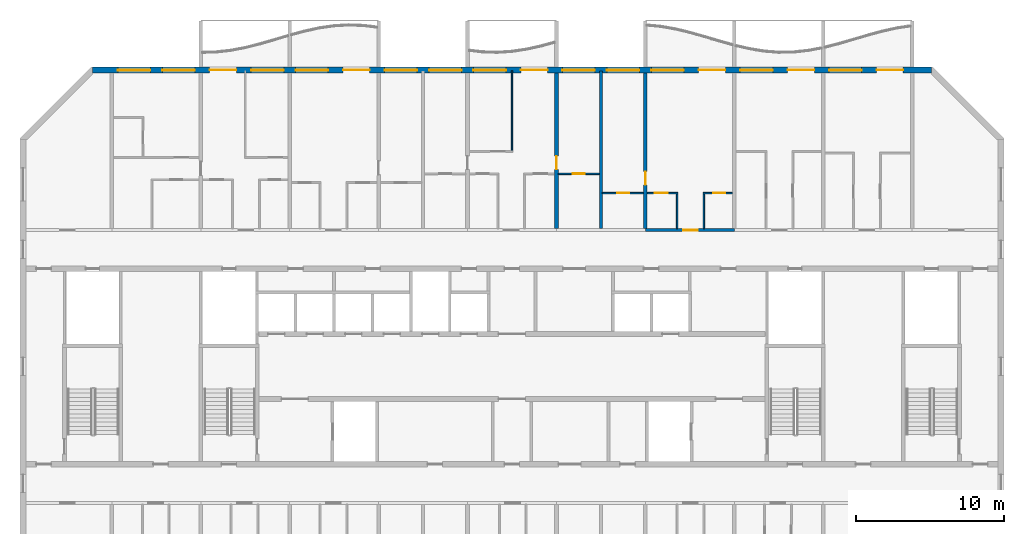
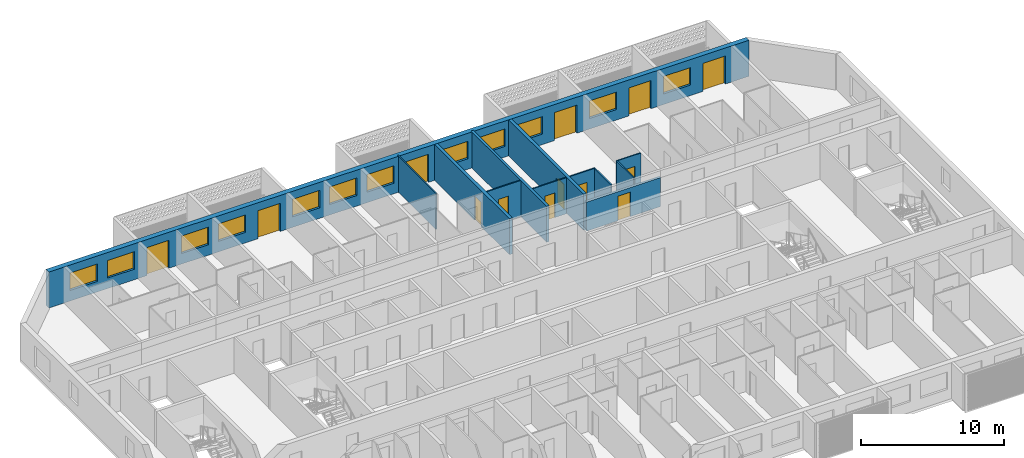
# One storey, part 9 of 26: 13 doors, 12 walls, 12 windows, 25 openings.
"""IFC4 building model written with IfcOpenShell, lengths in metres."""

from ifc_helpers import new_model, si_unit, direction, frame, frame_2d, origin, place, context, subcontext, project, spatial, rectangle, extrude, material, layer, layer_set, type_object, element, fill, save


model = new_model("IFC4")

# Units and contexts
model_context = context("Model", 3, precision=1e-05, world=origin(), true_north=direction((0.0, 1.0)))
body_context = subcontext(model_context, "Body", "Model", "MODEL_VIEW")
ifc_project = project(units=[si_unit("LENGTHUNIT", "METRE"), si_unit("AREAUNIT", "SQUARE_METRE"), si_unit("VOLUMEUNIT", "CUBIC_METRE"), si_unit("PLANEANGLEUNIT", "RADIAN"), si_unit("MASSUNIT", "GRAM", prefix="KILO")], contexts=[model_context])

# Site, building, storey
site_placement = place(None, origin())
site = spatial("IfcSite", under=ifc_project, at=site_placement, CompositionType="ELEMENT")
building_placement = place(site_placement, origin())
building = spatial("IfcBuilding", under=site, at=building_placement, Name="Poui Terraces", CompositionType="ELEMENT")
storey_placement = place(building_placement, frame((0.0, 0.0, 224.699951171875)))
storey = spatial("IfcBuildingStorey", under=building, at=storey_placement, Name="L62", CompositionType="ELEMENT", Elevation=224.699951171875)

# Wall, opening, door
ifc_material_1 = material(Name="Concrete 50 MPa", Category="concrete")
ifc_layer_1 = layer(ifc_material_1, 0.199951171875)
ifc_layer_set_1 = layer_set([ifc_layer_1], Name="Concrete 50 MPa")
wall_type_1 = type_object("IfcWallType", Name="CORRIDOR WALL 200 50MPa", PredefinedType="SHEAR", material=ifc_layer_set_1)
wall_1_placement = place(storey_placement, frame((60.0, 30.39990234375, 0.0), z_axis=(0.0, 0.0, 1.0), x_axis=(1.0, 0.0, 0.0)))
wall_1 = element("IfcWall", 1, at=wall_1_placement, inside=storey, type_object=wall_type_1, Name="CORRIDOR WALL LINE E BAY 8", PredefinedType="SHEAR", context=body_context, shape_type="SweptSolid", body=[
    extrude(rectangle(XDim=6.0, YDim=0.199951171875, at=frame_2d((3.0, 0.0))), origin(), (0.0, 0.0, 1.0), 2.47998046875),
])
opening_1_placement = place(wall_1_placement, frame((2.550048828125, 0.0, 0.0)))
opening_1 = element("IfcOpeningElement", 2, at=opening_1_placement, cuts=wall_1, Name="Opening FD30S", PredefinedType="OPENING", context=body_context, shape_type="SweptSolid", body=[
    extrude(rectangle(XDim=1.0, YDim=2.10009765625, at=frame_2d((0.5, 1.050048828125))), frame((0.0, 0.10986328125, 0.0), z_axis=(0.0, -1.0, 0.0), x_axis=(1.0, 0.0, 0.0)), (0.0, 0.0, 1.0), 0.219970703125),
])
ifc_material_2 = material(Name="Steel fire door", Category="steel")
door_type_1 = type_object("IfcDoorType", Name="FLAT ENTRANCE DOOR 1000 X 2100", OperationType="NOTDEFINED", PredefinedType="DOOR", material=ifc_material_2)
door_1_placement = place(opening_1_placement, origin())
door_1 = element("IfcDoor", 3, at=door_1_placement, inside=storey, type_object=door_type_1, Name="FLAT ENTRANCE DOOR 049", OperationType="SINGLE_SWING_RIGHT", OverallHeight=2.10009765625, OverallWidth=1.0, PredefinedType="DOOR", context=body_context, shape_type="SweptSolid", body=[
    extrude(rectangle(XDim=1.0, YDim=2.10009765625, at=frame_2d((0.5, 1.050048828125))), frame((0.0, 0.02490234375, 0.0), z_axis=(0.0, -1.0, 0.0), x_axis=(1.0, 0.0, 0.0)), (0.0, 0.0, 1.0), 0.050048828125),
])
fill(opening_1, door_1)

ifc_layer_2 = layer(ifc_material_1, 0.25)
ifc_layer_set_2 = layer_set([ifc_layer_2], Name="Concrete 50 MPa")
wall_type_2 = type_object("IfcWallType", Name="CROSS WALL 250 50MPa", PredefinedType="SHEAR", material=ifc_layer_set_2)
wall_2_placement = place(storey_placement, frame((54.0, 30.5, 0.0), z_axis=(0.0, 0.0, 1.0), x_axis=(0.0, 1.0, 0.0)))
wall_2 = element("IfcWall", 4, at=wall_2_placement, inside=storey, type_object=wall_type_2, Name="CROSS WALL LINE 10 NORTH", PredefinedType="SHEAR", context=body_context, shape_type="SweptSolid", body=[
    extrude(rectangle(XDim=10.5, YDim=0.25, at=frame_2d((5.25, 0.0))), origin(), (0.0, 0.0, 1.0), 3.080078125),
])
opening_2_placement = place(wall_2_placement, frame((4.0, 0.0, 0.0)))
opening_2 = element("IfcOpeningElement", 5, at=opening_2_placement, cuts=wall_2, Name="Opening D90", PredefinedType="OPENING", context=body_context, shape_type="SweptSolid", body=[
    extrude(rectangle(XDim=0.89990234375, YDim=2.10009765625, at=frame_2d((0.449951171875, 1.050048828125))), frame((0.0, 0.135009765625, 0.0), z_axis=(0.0, -1.0, 0.0), x_axis=(1.0, 0.0, 0.0)), (0.0, 0.0, 1.0), 0.27001953125),
])
ifc_material_3 = material(Name="Solid core timber door", Category="wood")
door_type_2 = type_object("IfcDoorType", Name="INTERNAL DOOR 900 X 2100", OperationType="NOTDEFINED", PredefinedType="DOOR", material=ifc_material_3)
door_2_placement = place(opening_2_placement, frame((0.89990234375, 0.0, 0.0), z_axis=(0.0, 0.0, 1.0), x_axis=(-1.0, 0.0, 0.0)))
door_2 = element("IfcDoor", 6, at=door_2_placement, inside=storey, type_object=door_type_2, Name="INTERNAL DOOR 045", OperationType="SINGLE_SWING_RIGHT", OverallHeight=2.10009765625, OverallWidth=0.89990234375, PredefinedType="DOOR", context=body_context, shape_type="SweptSolid", body=[
    extrude(rectangle(XDim=0.89990234375, YDim=2.10009765625, at=frame_2d((0.449951171875, 1.050048828125))), frame((0.0, 0.02490234375, 0.0), z_axis=(0.0, -1.0, 0.0), x_axis=(1.0, 0.0, 0.0)), (0.0, 0.0, 1.0), 0.050048828125),
])
fill(opening_2, door_2)

wall_3_placement = place(storey_placement, frame((60.0, 30.5, 0.0), z_axis=(0.0, 0.0, 1.0), x_axis=(0.0, 1.0, 0.0)))
wall_3 = element("IfcWall", 7, at=wall_3_placement, inside=storey, type_object=wall_type_2, Name="CROSS WALL LINE 11 NORTH", PredefinedType="SHEAR", context=body_context, shape_type="SweptSolid", body=[
    extrude(rectangle(XDim=10.5, YDim=0.25, at=frame_2d((5.25, 0.0))), origin(), (0.0, 0.0, 1.0), 3.080078125),
])
opening_3_placement = place(wall_3_placement, frame((2.949951171875, 0.0, 0.0)))
opening_3 = element("IfcOpeningElement", 8, at=opening_3_placement, cuts=wall_3, Name="Opening D90", PredefinedType="OPENING", context=body_context, shape_type="SweptSolid", body=[
    extrude(rectangle(XDim=0.89990234375, YDim=2.10009765625, at=frame_2d((0.449951171875, 1.050048828125))), frame((0.0, 0.135009765625, 0.0), z_axis=(0.0, -1.0, 0.0), x_axis=(1.0, 0.0, 0.0)), (0.0, 0.0, 1.0), 0.27001953125),
])
door_3_placement = place(opening_3_placement, origin())
door_3 = element("IfcDoor", 9, at=door_3_placement, inside=storey, type_object=door_type_2, Name="INTERNAL DOOR 047", OperationType="SINGLE_SWING_LEFT", OverallHeight=2.10009765625, OverallWidth=0.89990234375, PredefinedType="DOOR", context=body_context, shape_type="SweptSolid", body=[
    extrude(rectangle(XDim=0.89990234375, YDim=2.10009765625, at=frame_2d((0.449951171875, 1.050048828125))), frame((0.0, 0.02490234375, 0.0), z_axis=(0.0, -1.0, 0.0), x_axis=(1.0, 0.0, 0.0)), (0.0, 0.0, 1.0), 0.050048828125),
])
fill(opening_3, door_3)

# Wall, openings, doors, windows
ifc_material_4 = material(Name="Precast concrete 40 MPa", Category="concrete")
ifc_layer_3 = layer(ifc_material_4, 0.39990234375)
ifc_layer_set_3 = layer_set([ifc_layer_3], Name="Precast concrete 40 MPa")
wall_type_3 = type_object("IfcWallType", Name="EXTERNAL WALL 400", PredefinedType="STANDARD", material=ifc_layer_set_3)
wall_4_placement = place(storey_placement, frame((79.317138671875, 41.199951171875, 0.0), z_axis=(0.0, 0.0, 1.0), x_axis=(-1.0, 0.0, 0.0)))
wall_4 = element("IfcWall", 10, at=wall_4_placement, inside=storey, type_object=wall_type_3, Name="EXTERNAL WALL N", PredefinedType="STANDARD", context=body_context, shape_type="SweptSolid", body=[
    extrude(rectangle(XDim=56.63427734375, YDim=0.39990234375, at=frame_2d((28.317138671875, 0.0))), origin(), (0.0, 0.0, 1.0), 3.080078125),
])
opening_4_placement = place(wall_4_placement, frame((52.71728515625, 0.0, 0.89990234375)))
opening_4 = element("IfcOpeningElement", 11, at=opening_4_placement, cuts=wall_4, Name="Opening W1", PredefinedType="OPENING", context=body_context, shape_type="SweptSolid", body=[
    extrude(rectangle(XDim=2.199951171875, YDim=1.5, at=frame_2d((1.10009765625, 0.75))), frame((0.0, 0.2099609375, 0.0), z_axis=(0.0, -1.0, 0.0), x_axis=(1.0, 0.0, 0.0)), (0.0, 0.0, 1.0), 0.419921875),
])
opening_5_placement = place(wall_4_placement, frame((49.71728515625, 0.0, 0.89990234375)))
opening_5 = element("IfcOpeningElement", 12, at=opening_5_placement, cuts=wall_4, Name="Opening W1", PredefinedType="OPENING", context=body_context, shape_type="SweptSolid", body=[
    extrude(rectangle(XDim=2.199951171875, YDim=1.5, at=frame_2d((1.10009765625, 0.75))), frame((0.0, 0.2099609375, 0.0), z_axis=(0.0, -1.0, 0.0), x_axis=(1.0, 0.0, 0.0)), (0.0, 0.0, 1.0), 0.419921875),
])
opening_6_placement = place(wall_4_placement, frame((46.917236328125, 0.0, 0.0)))
opening_6 = element("IfcOpeningElement", 13, at=opening_6_placement, cuts=wall_4, Name="Opening BD1", PredefinedType="OPENING", context=body_context, shape_type="SweptSolid", body=[
    extrude(rectangle(XDim=1.800048828125, YDim=2.39990234375, at=frame_2d((0.89990234375, 1.199951171875))), frame((0.0, 0.2099609375, 0.0), z_axis=(0.0, -1.0, 0.0), x_axis=(1.0, 0.0, 0.0)), (0.0, 0.0, 1.0), 0.419921875),
])
opening_7_placement = place(wall_4_placement, frame((43.71728515625, 0.0, 0.89990234375)))
opening_7 = element("IfcOpeningElement", 14, at=opening_7_placement, cuts=wall_4, Name="Opening W1", PredefinedType="OPENING", context=body_context, shape_type="SweptSolid", body=[
    extrude(rectangle(XDim=2.199951171875, YDim=1.5, at=frame_2d((1.10009765625, 0.75))), frame((0.0, 0.2099609375, 0.0), z_axis=(0.0, -1.0, 0.0), x_axis=(1.0, 0.0, 0.0)), (0.0, 0.0, 1.0), 0.419921875),
])
opening_8_placement = place(wall_4_placement, frame((40.71728515625, 0.0, 0.89990234375)))
opening_8 = element("IfcOpeningElement", 15, at=opening_8_placement, cuts=wall_4, Name="Opening W1", PredefinedType="OPENING", context=body_context, shape_type="SweptSolid", body=[
    extrude(rectangle(XDim=2.199951171875, YDim=1.5, at=frame_2d((1.10009765625, 0.75))), frame((0.0, 0.2099609375, 0.0), z_axis=(0.0, -1.0, 0.0), x_axis=(1.0, 0.0, 0.0)), (0.0, 0.0, 1.0), 0.419921875),
])
opening_9_placement = place(wall_4_placement, frame((37.917236328125, 0.0, 0.0)))
opening_9 = element("IfcOpeningElement", 16, at=opening_9_placement, cuts=wall_4, Name="Opening BD1", PredefinedType="OPENING", context=body_context, shape_type="SweptSolid", body=[
    extrude(rectangle(XDim=1.800048828125, YDim=2.39990234375, at=frame_2d((0.89990234375, 1.199951171875))), frame((0.0, 0.2099609375, 0.0), z_axis=(0.0, -1.0, 0.0), x_axis=(1.0, 0.0, 0.0)), (0.0, 0.0, 1.0), 0.419921875),
])
opening_10_placement = place(wall_4_placement, frame((34.71728515625, 0.0, 0.89990234375)))
opening_10 = element("IfcOpeningElement", 17, at=opening_10_placement, cuts=wall_4, Name="Opening W1", PredefinedType="OPENING", context=body_context, shape_type="SweptSolid", body=[
    extrude(rectangle(XDim=2.199951171875, YDim=1.5, at=frame_2d((1.10009765625, 0.75))), frame((0.0, 0.2099609375, 0.0), z_axis=(0.0, -1.0, 0.0), x_axis=(1.0, 0.0, 0.0)), (0.0, 0.0, 1.0), 0.419921875),
])
opening_11_placement = place(wall_4_placement, frame((31.71728515625, 0.0, 0.89990234375)))
opening_11 = element("IfcOpeningElement", 18, at=opening_11_placement, cuts=wall_4, Name="Opening W1", PredefinedType="OPENING", context=body_context, shape_type="SweptSolid", body=[
    extrude(rectangle(XDim=2.199951171875, YDim=1.5, at=frame_2d((1.10009765625, 0.75))), frame((0.0, 0.2099609375, 0.0), z_axis=(0.0, -1.0, 0.0), x_axis=(1.0, 0.0, 0.0)), (0.0, 0.0, 1.0), 0.419921875),
])
opening_12_placement = place(wall_4_placement, frame((28.71728515625, 0.0, 0.89990234375)))
opening_12 = element("IfcOpeningElement", 19, at=opening_12_placement, cuts=wall_4, Name="Opening W1", PredefinedType="OPENING", context=body_context, shape_type="SweptSolid", body=[
    extrude(rectangle(XDim=2.199951171875, YDim=1.5, at=frame_2d((1.10009765625, 0.75))), frame((0.0, 0.2099609375, 0.0), z_axis=(0.0, -1.0, 0.0), x_axis=(1.0, 0.0, 0.0)), (0.0, 0.0, 1.0), 0.419921875),
])
opening_13_placement = place(wall_4_placement, frame((25.917236328125, 0.0, 0.0)))
opening_13 = element("IfcOpeningElement", 20, at=opening_13_placement, cuts=wall_4, Name="Opening BD1", PredefinedType="OPENING", context=body_context, shape_type="SweptSolid", body=[
    extrude(rectangle(XDim=1.800048828125, YDim=2.39990234375, at=frame_2d((0.89990234375, 1.199951171875))), frame((0.0, 0.2099609375, 0.0), z_axis=(0.0, -1.0, 0.0), x_axis=(1.0, 0.0, 0.0)), (0.0, 0.0, 1.0), 0.419921875),
])
opening_14_placement = place(wall_4_placement, frame((22.71728515625, 0.0, 0.89990234375)))
opening_14 = element("IfcOpeningElement", 21, at=opening_14_placement, cuts=wall_4, Name="Opening W1", PredefinedType="OPENING", context=body_context, shape_type="SweptSolid", body=[
    extrude(rectangle(XDim=2.199951171875, YDim=1.5, at=frame_2d((1.10009765625, 0.75))), frame((0.0, 0.2099609375, 0.0), z_axis=(0.0, -1.0, 0.0), x_axis=(1.0, 0.0, 0.0)), (0.0, 0.0, 1.0), 0.419921875),
])
opening_15_placement = place(wall_4_placement, frame((19.71728515625, 0.0, 0.89990234375)))
opening_15 = element("IfcOpeningElement", 22, at=opening_15_placement, cuts=wall_4, Name="Opening W1", PredefinedType="OPENING", context=body_context, shape_type="SweptSolid", body=[
    extrude(rectangle(XDim=2.199951171875, YDim=1.5, at=frame_2d((1.10009765625, 0.75))), frame((0.0, 0.2099609375, 0.0), z_axis=(0.0, -1.0, 0.0), x_axis=(1.0, 0.0, 0.0)), (0.0, 0.0, 1.0), 0.419921875),
])
opening_16_placement = place(wall_4_placement, frame((16.71728515625, 0.0, 0.89990234375)))
opening_16 = element("IfcOpeningElement", 23, at=opening_16_placement, cuts=wall_4, Name="Opening W1", PredefinedType="OPENING", context=body_context, shape_type="SweptSolid", body=[
    extrude(rectangle(XDim=2.199951171875, YDim=1.5, at=frame_2d((1.10009765625, 0.75))), frame((0.0, 0.2099609375, 0.0), z_axis=(0.0, -1.0, 0.0), x_axis=(1.0, 0.0, 0.0)), (0.0, 0.0, 1.0), 0.419921875),
])
opening_17_placement = place(wall_4_placement, frame((13.917236328125, 0.0, 0.0)))
opening_17 = element("IfcOpeningElement", 24, at=opening_17_placement, cuts=wall_4, Name="Opening BD1", PredefinedType="OPENING", context=body_context, shape_type="SweptSolid", body=[
    extrude(rectangle(XDim=1.800048828125, YDim=2.39990234375, at=frame_2d((0.89990234375, 1.199951171875))), frame((0.0, 0.2099609375, 0.0), z_axis=(0.0, -1.0, 0.0), x_axis=(1.0, 0.0, 0.0)), (0.0, 0.0, 1.0), 0.419921875),
])
opening_18_placement = place(wall_4_placement, frame((10.71728515625, 0.0, 0.89990234375)))
opening_18 = element("IfcOpeningElement", 25, at=opening_18_placement, cuts=wall_4, Name="Opening W1", PredefinedType="OPENING", context=body_context, shape_type="SweptSolid", body=[
    extrude(rectangle(XDim=2.199951171875, YDim=1.5, at=frame_2d((1.10009765625, 0.75))), frame((0.0, 0.2099609375, 0.0), z_axis=(0.0, -1.0, 0.0), x_axis=(1.0, 0.0, 0.0)), (0.0, 0.0, 1.0), 0.419921875),
])
opening_19_placement = place(wall_4_placement, frame((7.917236328125, 0.0, 0.0)))
opening_19 = element("IfcOpeningElement", 26, at=opening_19_placement, cuts=wall_4, Name="Opening BD1", PredefinedType="OPENING", context=body_context, shape_type="SweptSolid", body=[
    extrude(rectangle(XDim=1.800048828125, YDim=2.39990234375, at=frame_2d((0.89990234375, 1.199951171875))), frame((0.0, 0.2099609375, 0.0), z_axis=(0.0, -1.0, 0.0), x_axis=(1.0, 0.0, 0.0)), (0.0, 0.0, 1.0), 0.419921875),
])
opening_20_placement = place(wall_4_placement, frame((4.71728515625, 0.0, 0.89990234375)))
opening_20 = element("IfcOpeningElement", 27, at=opening_20_placement, cuts=wall_4, Name="Opening W1", PredefinedType="OPENING", context=body_context, shape_type="SweptSolid", body=[
    extrude(rectangle(XDim=2.199951171875, YDim=1.5, at=frame_2d((1.10009765625, 0.75))), frame((0.0, 0.2099609375, 0.0), z_axis=(0.0, -1.0, 0.0), x_axis=(1.0, 0.0, 0.0)), (0.0, 0.0, 1.0), 0.419921875),
])
opening_21_placement = place(wall_4_placement, frame((1.917236328125, 0.0, 0.0)))
opening_21 = element("IfcOpeningElement", 28, at=opening_21_placement, cuts=wall_4, Name="Opening BD1", PredefinedType="OPENING", context=body_context, shape_type="SweptSolid", body=[
    extrude(rectangle(XDim=1.800048828125, YDim=2.39990234375, at=frame_2d((0.89990234375, 1.199951171875))), frame((0.0, 0.2099609375, 0.0), z_axis=(0.0, -1.0, 0.0), x_axis=(1.0, 0.0, 0.0)), (0.0, 0.0, 1.0), 0.419921875),
])
ifc_material_5 = material(Name="Clear glass in aluminium frame", Category="aluminium")
door_type_3 = type_object("IfcDoorType", Name="BALCONY DOOR 1800X2400", OperationType="DOUBLE_DOOR_SLIDING", PredefinedType="DOOR", material=ifc_material_5)
door_4_placement = place(opening_6_placement, origin())
door_4 = element("IfcDoor", 29, at=door_4_placement, inside=storey, type_object=door_type_3, Name="BD1 BALCONY DOOR", OperationType="DOUBLE_DOOR_SLIDING", OverallHeight=2.39990234375, OverallWidth=1.800048828125, PredefinedType="DOOR", context=body_context, shape_type="SweptSolid", body=[
    extrude(rectangle(XDim=1.800048828125, YDim=2.39990234375, at=frame_2d((0.89990234375, 1.199951171875))), frame((0.0, 0.02490234375, 0.0), z_axis=(0.0, -1.0, 0.0), x_axis=(1.0, 0.0, 0.0)), (0.0, 0.0, 1.0), 0.050048828125),
])
fill(opening_6, door_4)
door_5_placement = place(opening_9_placement, origin())
door_5 = element("IfcDoor", 30, at=door_5_placement, inside=storey, type_object=door_type_3, Name="BD1 BALCONY DOOR", OperationType="DOUBLE_DOOR_SLIDING", OverallHeight=2.39990234375, OverallWidth=1.800048828125, PredefinedType="DOOR", context=body_context, shape_type="SweptSolid", body=[
    extrude(rectangle(XDim=1.800048828125, YDim=2.39990234375, at=frame_2d((0.89990234375, 1.199951171875))), frame((0.0, 0.02490234375, 0.0), z_axis=(0.0, -1.0, 0.0), x_axis=(1.0, 0.0, 0.0)), (0.0, 0.0, 1.0), 0.050048828125),
])
fill(opening_9, door_5)
door_6_placement = place(opening_13_placement, origin())
door_6 = element("IfcDoor", 31, at=door_6_placement, inside=storey, type_object=door_type_3, Name="BD1 BALCONY DOOR", OperationType="DOUBLE_DOOR_SLIDING", OverallHeight=2.39990234375, OverallWidth=1.800048828125, PredefinedType="DOOR", context=body_context, shape_type="SweptSolid", body=[
    extrude(rectangle(XDim=1.800048828125, YDim=2.39990234375, at=frame_2d((0.89990234375, 1.199951171875))), frame((0.0, 0.02490234375, 0.0), z_axis=(0.0, -1.0, 0.0), x_axis=(1.0, 0.0, 0.0)), (0.0, 0.0, 1.0), 0.050048828125),
])
fill(opening_13, door_6)
door_7_placement = place(opening_17_placement, origin())
door_7 = element("IfcDoor", 32, at=door_7_placement, inside=storey, type_object=door_type_3, Name="BD1 BALCONY DOOR", OperationType="DOUBLE_DOOR_SLIDING", OverallHeight=2.39990234375, OverallWidth=1.800048828125, PredefinedType="DOOR", context=body_context, shape_type="SweptSolid", body=[
    extrude(rectangle(XDim=1.800048828125, YDim=2.39990234375, at=frame_2d((0.89990234375, 1.199951171875))), frame((0.0, 0.02490234375, 0.0), z_axis=(0.0, -1.0, 0.0), x_axis=(1.0, 0.0, 0.0)), (0.0, 0.0, 1.0), 0.050048828125),
])
fill(opening_17, door_7)
door_8_placement = place(opening_19_placement, origin())
door_8 = element("IfcDoor", 33, at=door_8_placement, inside=storey, type_object=door_type_3, Name="BD1 BALCONY DOOR", OperationType="DOUBLE_DOOR_SLIDING", OverallHeight=2.39990234375, OverallWidth=1.800048828125, PredefinedType="DOOR", context=body_context, shape_type="SweptSolid", body=[
    extrude(rectangle(XDim=1.800048828125, YDim=2.39990234375, at=frame_2d((0.89990234375, 1.199951171875))), frame((0.0, 0.02490234375, 0.0), z_axis=(0.0, -1.0, 0.0), x_axis=(1.0, 0.0, 0.0)), (0.0, 0.0, 1.0), 0.050048828125),
])
fill(opening_19, door_8)
door_9_placement = place(opening_21_placement, origin())
door_9 = element("IfcDoor", 34, at=door_9_placement, inside=storey, type_object=door_type_3, Name="BD1 BALCONY DOOR", OperationType="DOUBLE_DOOR_SLIDING", OverallHeight=2.39990234375, OverallWidth=1.800048828125, PredefinedType="DOOR", context=body_context, shape_type="SweptSolid", body=[
    extrude(rectangle(XDim=1.800048828125, YDim=2.39990234375, at=frame_2d((0.89990234375, 1.199951171875))), frame((0.0, 0.02490234375, 0.0), z_axis=(0.0, -1.0, 0.0), x_axis=(1.0, 0.0, 0.0)), (0.0, 0.0, 1.0), 0.050048828125),
])
fill(opening_21, door_9)
window_type = type_object("IfcWindowType", Name="WINDOW 2200X1500", PartitioningType="DOUBLE_PANEL_HORIZONTAL", PredefinedType="WINDOW", material=ifc_material_5)
window_1_placement = place(opening_4_placement, origin())
window_1 = element("IfcWindow", 35, at=window_1_placement, inside=storey, type_object=window_type, Name="W1 WINDOW", OverallHeight=1.5, OverallWidth=2.199951171875, PartitioningType="DOUBLE_PANEL_HORIZONTAL", PredefinedType="WINDOW", context=body_context, shape_type="SweptSolid", body=[
    extrude(rectangle(XDim=2.199951171875, YDim=1.5, at=frame_2d((1.10009765625, 0.75))), frame((0.0, 0.030029296875, 0.0), z_axis=(0.0, -1.0, 0.0), x_axis=(1.0, 0.0, 0.0)), (0.0, 0.0, 1.0), 0.06005859375),
])
fill(opening_4, window_1)
window_2_placement = place(opening_5_placement, origin())
window_2 = element("IfcWindow", 36, at=window_2_placement, inside=storey, type_object=window_type, Name="W1 WINDOW", OverallHeight=1.5, OverallWidth=2.199951171875, PartitioningType="DOUBLE_PANEL_HORIZONTAL", PredefinedType="WINDOW", context=body_context, shape_type="SweptSolid", body=[
    extrude(rectangle(XDim=2.199951171875, YDim=1.5, at=frame_2d((1.10009765625, 0.75))), frame((0.0, 0.030029296875, 0.0), z_axis=(0.0, -1.0, 0.0), x_axis=(1.0, 0.0, 0.0)), (0.0, 0.0, 1.0), 0.06005859375),
])
fill(opening_5, window_2)
window_3_placement = place(opening_7_placement, origin())
window_3 = element("IfcWindow", 37, at=window_3_placement, inside=storey, type_object=window_type, Name="W1 WINDOW", OverallHeight=1.5, OverallWidth=2.199951171875, PartitioningType="DOUBLE_PANEL_HORIZONTAL", PredefinedType="WINDOW", context=body_context, shape_type="SweptSolid", body=[
    extrude(rectangle(XDim=2.199951171875, YDim=1.5, at=frame_2d((1.10009765625, 0.75))), frame((0.0, 0.030029296875, 0.0), z_axis=(0.0, -1.0, 0.0), x_axis=(1.0, 0.0, 0.0)), (0.0, 0.0, 1.0), 0.06005859375),
])
fill(opening_7, window_3)
window_4_placement = place(opening_8_placement, origin())
window_4 = element("IfcWindow", 38, at=window_4_placement, inside=storey, type_object=window_type, Name="W1 WINDOW", OverallHeight=1.5, OverallWidth=2.199951171875, PartitioningType="DOUBLE_PANEL_HORIZONTAL", PredefinedType="WINDOW", context=body_context, shape_type="SweptSolid", body=[
    extrude(rectangle(XDim=2.199951171875, YDim=1.5, at=frame_2d((1.10009765625, 0.75))), frame((0.0, 0.030029296875, 0.0), z_axis=(0.0, -1.0, 0.0), x_axis=(1.0, 0.0, 0.0)), (0.0, 0.0, 1.0), 0.06005859375),
])
fill(opening_8, window_4)
window_5_placement = place(opening_10_placement, origin())
window_5 = element("IfcWindow", 39, at=window_5_placement, inside=storey, type_object=window_type, Name="W1 WINDOW", OverallHeight=1.5, OverallWidth=2.199951171875, PartitioningType="DOUBLE_PANEL_HORIZONTAL", PredefinedType="WINDOW", context=body_context, shape_type="SweptSolid", body=[
    extrude(rectangle(XDim=2.199951171875, YDim=1.5, at=frame_2d((1.10009765625, 0.75))), frame((0.0, 0.030029296875, 0.0), z_axis=(0.0, -1.0, 0.0), x_axis=(1.0, 0.0, 0.0)), (0.0, 0.0, 1.0), 0.06005859375),
])
fill(opening_10, window_5)
window_6_placement = place(opening_11_placement, origin())
window_6 = element("IfcWindow", 40, at=window_6_placement, inside=storey, type_object=window_type, Name="W1 WINDOW", OverallHeight=1.5, OverallWidth=2.199951171875, PartitioningType="DOUBLE_PANEL_HORIZONTAL", PredefinedType="WINDOW", context=body_context, shape_type="SweptSolid", body=[
    extrude(rectangle(XDim=2.199951171875, YDim=1.5, at=frame_2d((1.10009765625, 0.75))), frame((0.0, 0.030029296875, 0.0), z_axis=(0.0, -1.0, 0.0), x_axis=(1.0, 0.0, 0.0)), (0.0, 0.0, 1.0), 0.06005859375),
])
fill(opening_11, window_6)
window_7_placement = place(opening_12_placement, origin())
window_7 = element("IfcWindow", 41, at=window_7_placement, inside=storey, type_object=window_type, Name="W1 WINDOW", OverallHeight=1.5, OverallWidth=2.199951171875, PartitioningType="DOUBLE_PANEL_HORIZONTAL", PredefinedType="WINDOW", context=body_context, shape_type="SweptSolid", body=[
    extrude(rectangle(XDim=2.199951171875, YDim=1.5, at=frame_2d((1.10009765625, 0.75))), frame((0.0, 0.030029296875, 0.0), z_axis=(0.0, -1.0, 0.0), x_axis=(1.0, 0.0, 0.0)), (0.0, 0.0, 1.0), 0.06005859375),
])
fill(opening_12, window_7)
window_8_placement = place(opening_14_placement, origin())
window_8 = element("IfcWindow", 42, at=window_8_placement, inside=storey, type_object=window_type, Name="W1 WINDOW", OverallHeight=1.5, OverallWidth=2.199951171875, PartitioningType="DOUBLE_PANEL_HORIZONTAL", PredefinedType="WINDOW", context=body_context, shape_type="SweptSolid", body=[
    extrude(rectangle(XDim=2.199951171875, YDim=1.5, at=frame_2d((1.10009765625, 0.75))), frame((0.0, 0.030029296875, 0.0), z_axis=(0.0, -1.0, 0.0), x_axis=(1.0, 0.0, 0.0)), (0.0, 0.0, 1.0), 0.06005859375),
])
fill(opening_14, window_8)
window_9_placement = place(opening_15_placement, origin())
window_9 = element("IfcWindow", 43, at=window_9_placement, inside=storey, type_object=window_type, Name="W1 WINDOW", OverallHeight=1.5, OverallWidth=2.199951171875, PartitioningType="DOUBLE_PANEL_HORIZONTAL", PredefinedType="WINDOW", context=body_context, shape_type="SweptSolid", body=[
    extrude(rectangle(XDim=2.199951171875, YDim=1.5, at=frame_2d((1.10009765625, 0.75))), frame((0.0, 0.030029296875, 0.0), z_axis=(0.0, -1.0, 0.0), x_axis=(1.0, 0.0, 0.0)), (0.0, 0.0, 1.0), 0.06005859375),
])
fill(opening_15, window_9)
window_10_placement = place(opening_16_placement, origin())
window_10 = element("IfcWindow", 44, at=window_10_placement, inside=storey, type_object=window_type, Name="W1 WINDOW", OverallHeight=1.5, OverallWidth=2.199951171875, PartitioningType="DOUBLE_PANEL_HORIZONTAL", PredefinedType="WINDOW", context=body_context, shape_type="SweptSolid", body=[
    extrude(rectangle(XDim=2.199951171875, YDim=1.5, at=frame_2d((1.10009765625, 0.75))), frame((0.0, 0.030029296875, 0.0), z_axis=(0.0, -1.0, 0.0), x_axis=(1.0, 0.0, 0.0)), (0.0, 0.0, 1.0), 0.06005859375),
])
fill(opening_16, window_10)
window_11_placement = place(opening_18_placement, origin())
window_11 = element("IfcWindow", 45, at=window_11_placement, inside=storey, type_object=window_type, Name="W1 WINDOW", OverallHeight=1.5, OverallWidth=2.199951171875, PartitioningType="DOUBLE_PANEL_HORIZONTAL", PredefinedType="WINDOW", context=body_context, shape_type="SweptSolid", body=[
    extrude(rectangle(XDim=2.199951171875, YDim=1.5, at=frame_2d((1.10009765625, 0.75))), frame((0.0, 0.030029296875, 0.0), z_axis=(0.0, -1.0, 0.0), x_axis=(1.0, 0.0, 0.0)), (0.0, 0.0, 1.0), 0.06005859375),
])
fill(opening_18, window_11)
window_12_placement = place(opening_20_placement, origin())
window_12 = element("IfcWindow", 46, at=window_12_placement, inside=storey, type_object=window_type, Name="W1 WINDOW", OverallHeight=1.5, OverallWidth=2.199951171875, PartitioningType="DOUBLE_PANEL_HORIZONTAL", PredefinedType="WINDOW", context=body_context, shape_type="SweptSolid", body=[
    extrude(rectangle(XDim=2.199951171875, YDim=1.5, at=frame_2d((1.10009765625, 0.75))), frame((0.0, 0.030029296875, 0.0), z_axis=(0.0, -1.0, 0.0), x_axis=(1.0, 0.0, 0.0)), (0.0, 0.0, 1.0), 0.06005859375),
])
fill(opening_20, window_12)

# Wall, opening, door
ifc_material_6 = material(Name="Plasterboard partition")
ifc_layer_4 = layer(ifc_material_6, 0.10009765625)
ifc_layer_set_4 = layer_set([ifc_layer_4], Name="Plasterboard partition")
wall_type_4 = type_object("IfcWallType", Name="FLAT PARTITION 100", PredefinedType="PARTITIONING", material=ifc_layer_set_4)
wall_5_placement = place(storey_placement, frame((57.10009765625, 32.89990234375, 0.0), z_axis=(0.0, 0.0, 1.0), x_axis=(1.0, 0.0, 0.0)))
wall_5 = element("IfcWall", 47, at=wall_5_placement, inside=storey, type_object=wall_type_4, Name="FLAT PARTITION 100", PredefinedType="PARTITIONING", context=body_context, shape_type="SweptSolid", body=[
    extrude(rectangle(XDim=2.764892578125, YDim=0.10009765625, at=frame_2d((1.38232421875, 0.0))), origin(), (0.0, 0.0, 1.0), 3.080078125),
])
opening_22_placement = place(wall_5_placement, frame((1.0, 0.0, 0.0)))
opening_22 = element("IfcOpeningElement", 48, at=opening_22_placement, cuts=wall_5, Name="Opening D80", PredefinedType="OPENING", context=body_context, shape_type="SweptSolid", body=[
    extrude(rectangle(XDim=0.800048828125, YDim=2.10009765625, at=frame_2d((0.39990234375, 1.050048828125))), frame((0.0, 0.06005859375, 0.0), z_axis=(0.0, -1.0, 0.0), x_axis=(1.0, 0.0, 0.0)), (0.0, 0.0, 1.0), 0.1201171875),
])
door_type_4 = type_object("IfcDoorType", Name="BATHROOM, LAUNDRY AND STORE DOOR 800 X 2100", OperationType="NOTDEFINED", PredefinedType="DOOR", material=ifc_material_3)
door_10_placement = place(opening_22_placement, frame((0.800048828125, 0.0, 0.0), z_axis=(0.0, 0.0, 1.0), x_axis=(-1.0, 0.0, 0.0)))
door_10 = element("IfcDoor", 49, at=door_10_placement, inside=storey, type_object=door_type_4, Name="BATHROOM, LAUNDRY AND STORE DOOR 046", OperationType="SINGLE_SWING_RIGHT", OverallHeight=2.10009765625, OverallWidth=0.800048828125, PredefinedType="DOOR", context=body_context, shape_type="SweptSolid", body=[
    extrude(rectangle(XDim=0.800048828125, YDim=2.10009765625, at=frame_2d((0.39990234375, 1.050048828125))), frame((0.0, 0.02490234375, 0.0), z_axis=(0.0, -1.0, 0.0), x_axis=(1.0, 0.0, 0.0)), (0.0, 0.0, 1.0), 0.050048828125),
])
fill(opening_22, door_10)

wall_6_placement = place(storey_placement, frame((60.135009765625, 32.89990234375, 0.0), z_axis=(0.0, 0.0, 1.0), x_axis=(1.0, 0.0, 0.0)))
wall_6 = element("IfcWall", 50, at=wall_6_placement, inside=storey, type_object=wall_type_4, Name="FLAT PARTITION 100", PredefinedType="PARTITIONING", context=body_context, shape_type="SweptSolid", body=[
    extrude(rectangle(XDim=2.06494140625, YDim=0.10009765625, at=frame_2d((1.032470703125, 0.0))), origin(), (0.0, 0.0, 1.0), 3.080078125),
])
opening_23_placement = place(wall_6_placement, frame((0.489990234375, 0.0, 0.0)))
opening_23 = element("IfcOpeningElement", 51, at=opening_23_placement, cuts=wall_6, Name="Opening D90", PredefinedType="OPENING", context=body_context, shape_type="SweptSolid", body=[
    extrude(rectangle(XDim=0.89990234375, YDim=2.10009765625, at=frame_2d((0.449951171875, 1.050048828125))), frame((0.0, 0.06005859375, 0.0), z_axis=(0.0, -1.0, 0.0), x_axis=(1.0, 0.0, 0.0)), (0.0, 0.0, 1.0), 0.1201171875),
])
door_11_placement = place(opening_23_placement, frame((0.89990234375, 0.0, 0.0), z_axis=(0.0, 0.0, 1.0), x_axis=(-1.0, 0.0, 0.0)))
door_11 = element("IfcDoor", 52, at=door_11_placement, inside=storey, type_object=door_type_2, Name="INTERNAL DOOR 048", OperationType="SINGLE_SWING_LEFT", OverallHeight=2.10009765625, OverallWidth=0.89990234375, PredefinedType="DOOR", context=body_context, shape_type="SweptSolid", body=[
    extrude(rectangle(XDim=0.89990234375, YDim=2.10009765625, at=frame_2d((0.449951171875, 1.050048828125))), frame((0.0, 0.02490234375, 0.0), z_axis=(0.0, -1.0, 0.0), x_axis=(1.0, 0.0, 0.0)), (0.0, 0.0, 1.0), 0.050048828125),
])
fill(opening_23, door_11)

wall_7_placement = place(storey_placement, frame((63.89990234375, 32.89990234375, 0.0), z_axis=(0.0, 0.0, 1.0), x_axis=(1.0, 0.0, 0.0)))
wall_7 = element("IfcWall", 53, at=wall_7_placement, inside=storey, type_object=wall_type_4, Name="FLAT PARTITION 100", PredefinedType="PARTITIONING", context=body_context, shape_type="SweptSolid", body=[
    extrude(rectangle(XDim=1.965087890625, YDim=0.10009765625, at=frame_2d((0.982421875, 0.0))), origin(), (0.0, 0.0, 1.0), 3.080078125),
])
opening_24_placement = place(wall_7_placement, frame((0.675048828125, 0.0, 0.0)))
opening_24 = element("IfcOpeningElement", 54, at=opening_24_placement, cuts=wall_7, Name="Opening D80", PredefinedType="OPENING", context=body_context, shape_type="SweptSolid", body=[
    extrude(rectangle(XDim=0.800048828125, YDim=2.10009765625, at=frame_2d((0.39990234375, 1.050048828125))), frame((0.0, 0.06005859375, 0.0), z_axis=(0.0, -1.0, 0.0), x_axis=(1.0, 0.0, 0.0)), (0.0, 0.0, 1.0), 0.1201171875),
])
door_12_placement = place(opening_24_placement, frame((0.800048828125, 0.0, 0.0), z_axis=(0.0, 0.0, 1.0), x_axis=(-1.0, 0.0, 0.0)))
door_12 = element("IfcDoor", 55, at=door_12_placement, inside=storey, type_object=door_type_4, Name="BATHROOM, LAUNDRY AND STORE DOOR 050", OperationType="SINGLE_SWING_RIGHT", OverallHeight=2.10009765625, OverallWidth=0.800048828125, PredefinedType="DOOR", context=body_context, shape_type="SweptSolid", body=[
    extrude(rectangle(XDim=0.800048828125, YDim=2.10009765625, at=frame_2d((0.39990234375, 1.050048828125))), frame((0.0, 0.02490234375, 0.0), z_axis=(0.0, -1.0, 0.0), x_axis=(1.0, 0.0, 0.0)), (0.0, 0.0, 1.0), 0.050048828125),
])
fill(opening_24, door_12)

wall_8_placement = place(storey_placement, frame((54.135009765625, 34.199951171875, 0.0), z_axis=(0.0, 0.0, 1.0), x_axis=(1.0, 0.0, 0.0)))
wall_8 = element("IfcWall", 56, at=wall_8_placement, inside=storey, type_object=wall_type_4, Name="FLAT PARTITION 100", PredefinedType="PARTITIONING", context=body_context, shape_type="SweptSolid", body=[
    extrude(rectangle(XDim=2.764892578125, YDim=0.10009765625, at=frame_2d((1.38232421875, 0.0))), origin(), (0.0, 0.0, 1.0), 3.080078125),
])
opening_25_placement = place(wall_8_placement, frame((0.965087890625, 0.0, 0.0)))
opening_25 = element("IfcOpeningElement", 57, at=opening_25_placement, cuts=wall_8, Name="Opening D80", PredefinedType="OPENING", context=body_context, shape_type="SweptSolid", body=[
    extrude(rectangle(XDim=0.800048828125, YDim=2.10009765625, at=frame_2d((0.39990234375, 1.050048828125))), frame((0.0, 0.06005859375, 0.0), z_axis=(0.0, -1.0, 0.0), x_axis=(1.0, 0.0, 0.0)), (0.0, 0.0, 1.0), 0.1201171875),
])
door_13_placement = place(opening_25_placement, frame((0.800048828125, 0.0, 0.0), z_axis=(0.0, 0.0, 1.0), x_axis=(-1.0, 0.0, 0.0)))
door_13 = element("IfcDoor", 58, at=door_13_placement, inside=storey, type_object=door_type_4, Name="BATHROOM, LAUNDRY AND STORE DOOR 039", OperationType="SINGLE_SWING_LEFT", OverallHeight=2.10009765625, OverallWidth=0.800048828125, PredefinedType="DOOR", context=body_context, shape_type="SweptSolid", body=[
    extrude(rectangle(XDim=0.800048828125, YDim=2.10009765625, at=frame_2d((0.39990234375, 1.050048828125))), frame((0.0, 0.02490234375, 0.0), z_axis=(0.0, -1.0, 0.0), x_axis=(1.0, 0.0, 0.0)), (0.0, 0.0, 1.0), 0.050048828125),
])
fill(opening_25, door_13)

# Walls
wall_9_placement = place(storey_placement, frame((51.0, 35.75, 0.0), z_axis=(0.0, 0.0, 1.0), x_axis=(0.0, 1.0, 0.0)))
element("IfcWall", 59, at=wall_9_placement, inside=storey, type_object=wall_type_4, Name="FLAT PARTITION 100", PredefinedType="PARTITIONING", context=body_context, shape_type="SweptSolid", body=[
    extrude(rectangle(XDim=5.389892578125, YDim=0.10009765625, at=frame_2d((2.69482421875, 0.0))), origin(), (0.0, 0.0, 1.0), 3.080078125),
])
for number, where, z_axis, x_axis, name in (
    (60, (62.14990234375, 30.510009765625, 0.0), (0.0, 0.0, 1.0), (0.0, 1.0, 0.0), "FLAT PARTITION 100"),
    (61, (63.949951171875, 30.510009765625, 0.0), (0.0, 0.0, 1.0), (0.0, 1.0, 0.0), "FLAT PARTITION 100"),
):
    element("IfcWall", number, at=place(storey_placement, frame(where, z_axis=z_axis, x_axis=x_axis)), inside=storey, type_object=wall_type_4, Name=name, PredefinedType="PARTITIONING", context=body_context, shape_type="SweptSolid", body=[
        extrude(rectangle(XDim=2.340087890625, YDim=0.10009765625, at=frame_2d((1.169921875, 0.0))), origin(), (0.0, 0.0, 1.0), 3.080078125),
    ])
ifc_material_7 = material(Name="Fire-rated masonry wall", Category="masonry")
ifc_layer_5 = layer(ifc_material_7, 0.199951171875)
ifc_layer_set_5 = layer_set([ifc_layer_5], Name="Fire-rated masonry wall")
wall_type_5 = type_object("IfcWallType", Name="FLAT PARTY WALL 200", PredefinedType="PARTITIONING", material=ifc_layer_set_5)
wall_10_placement = place(storey_placement, frame((57.0, 30.510009765625, 0.0), z_axis=(0.0, 0.0, 1.0), x_axis=(0.0, 1.0, 0.0)))
element("IfcWall", 62, at=wall_10_placement, inside=storey, type_object=wall_type_5, Name="FLAT PARTY WALL 200", PredefinedType="PARTITIONING", context=body_context, shape_type="SweptSolid", body=[
    extrude(rectangle(XDim=10.6298828125, YDim=0.199951171875, at=frame_2d((5.31494140625, 0.0))), origin(), (0.0, 0.0, 1.0), 3.080078125),
])

save(model, "model.ifc")
